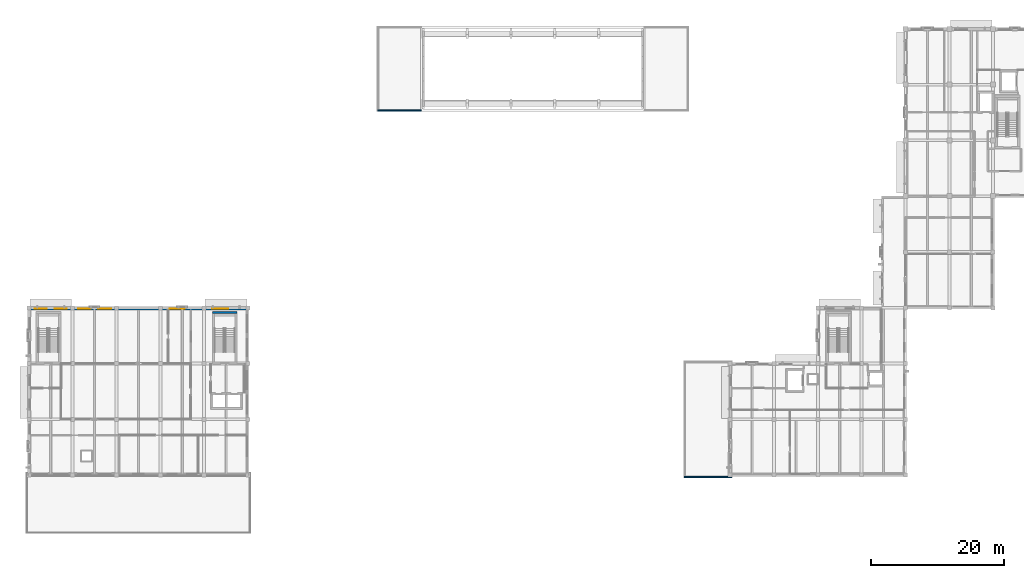
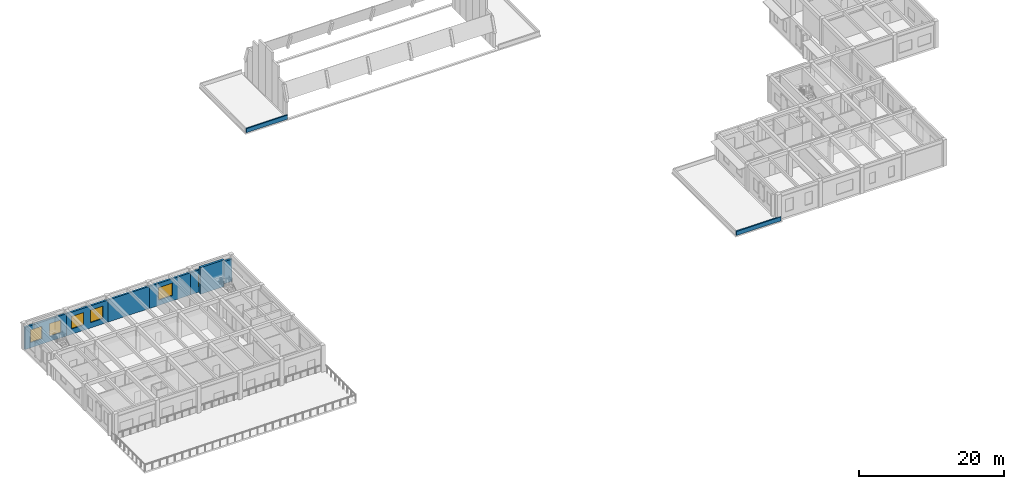
# One storey, part 8 of 25: 8 walls, 6 windows, 6 openings.
"""IFC4 building model written with IfcOpenShell, lengths in metres."""

from ifc_helpers import new_model, si_unit, direction, frame, frame_2d, origin, place, context, subcontext, project, spatial, rectangle, extrude, material, layer, layer_set, type_object, element, fill, save


model = new_model("IFC4")

# Units and contexts
model_context = context("Model", 3, precision=1e-05, world=origin(), true_north=direction((0.0, 1.0)))
body_context = subcontext(model_context, "Body", "Model", "MODEL_VIEW")
ifc_project = project(units=[si_unit("LENGTHUNIT", "METRE"), si_unit("AREAUNIT", "SQUARE_METRE"), si_unit("VOLUMEUNIT", "CUBIC_METRE"), si_unit("PLANEANGLEUNIT", "RADIAN"), si_unit("MASSUNIT", "GRAM", prefix="KILO")], contexts=[model_context])

# Site, building, storey
site_placement = place(None, origin())
site = spatial("IfcSite", under=ifc_project, at=site_placement, CompositionType="ELEMENT")
building_placement = place(site_placement, origin())
building = spatial("IfcBuilding", under=site, at=building_placement, Name="Kolvaren Faculty of Natural Sciences", CompositionType="ELEMENT")
storey_placement = place(building_placement, frame((0.0, 0.0, 19.5)))
storey = spatial("IfcBuildingStorey", under=building, at=storey_placement, Name="L04", CompositionType="ELEMENT", Elevation=19.5)

# Wall
ifc_material_1 = material(Name="Concrete C40/50", Category="concrete")
ifc_layer_1 = layer(ifc_material_1, 0.35009765625)
ifc_layer_set_1 = layer_set([ifc_layer_1], Name="Concrete C40/50")
wall_type_1 = type_object("IfcWallType", Name="CoreShearWall_350", PredefinedType="SHEAR", material=ifc_layer_set_1)
wall_1_placement = place(storey_placement, frame((34.425048828125, 41.5, 0.0), z_axis=(0.0, 0.0, 1.0), x_axis=(1.0, 0.0, 0.0)))
element("IfcWall", 1, at=wall_1_placement, inside=storey, type_object=wall_type_1, Name="L04 CORE-C4 stair shear wall N", PredefinedType="SHEAR", context=body_context, shape_type="SweptSolid", body=[
    extrude(rectangle(XDim=3.75, YDim=0.35009765625, at=frame_2d((1.875, 0.0))), origin(), (0.0, 0.0, 1.0), 4.5),
])

# Wall, openings, windows
ifc_material_2 = material(Name="Sandstone-faced insulated cavity masonry", Category="masonry")
ifc_layer_2 = layer(ifc_material_2, 0.300048828125)
ifc_layer_set_2 = layer_set([ifc_layer_2], Name="Sandstone-faced insulated cavity masonry")
wall_type_2 = type_object("IfcWallType", Name="ExteriorCavityWall_300", PredefinedType="STANDARD", material=ifc_layer_set_2)
wall_2_placement = place(storey_placement, frame((6.800048828125, 42.050048828125, 0.0), z_axis=(0.0, 0.0, 1.0), x_axis=(1.0, 0.0, 0.0)))
wall_2 = element("IfcWall", 2, at=wall_2_placement, inside=storey, type_object=wall_type_2, Name="L04 exterior masonry wall EW-300 (583)", PredefinedType="STANDARD", context=body_context, shape_type="SweptSolid", body=[
    extrude(rectangle(XDim=6.599853515625, YDim=0.300048828125, at=frame_2d((3.2998046875, 0.0))), origin(), (0.0, 0.0, 1.0), 3.735107421875),
])
opening_1_placement = place(wall_2_placement, frame((0.882080078125, 0.0, 0.89990234375)))
opening_1 = element("IfcOpeningElement", 3, at=opening_1_placement, cuts=wall_2, Name="Opening WIN-05", PredefinedType="OPENING", context=body_context, shape_type="SweptSolid", body=[
    extrude(rectangle(XDim=1.800048828125, YDim=2.10009765625, at=frame_2d((0.89990234375, 1.050048828125))), frame((0.0, 0.159912109375, 0.0), z_axis=(0.0, -1.0, 0.0), x_axis=(1.0, 0.0, 0.0)), (0.0, 0.0, 1.0), 0.320068359375),
])
opening_2_placement = place(wall_2_placement, frame((3.91796875, 0.0, 0.89990234375)))
opening_2 = element("IfcOpeningElement", 4, at=opening_2_placement, cuts=wall_2, Name="Opening WIN-05", PredefinedType="OPENING", context=body_context, shape_type="SweptSolid", body=[
    extrude(rectangle(XDim=1.800048828125, YDim=2.10009765625, at=frame_2d((0.89990234375, 1.050048828125))), frame((0.0, 0.159912109375, 0.0), z_axis=(0.0, -1.0, 0.0), x_axis=(1.0, 0.0, 0.0)), (0.0, 0.0, 1.0), 0.320068359375),
])
ifc_material_3 = material(Name="Double low-E solar control insulated glazing", Category="glass")
window_type_1 = type_object("IfcWindowType", Name="AluWindow_WIN05_1800x2100", PartitioningType="SINGLE_PANEL", PredefinedType="WINDOW", material=ifc_material_3)
window_1_placement = place(opening_1_placement, origin())
window_1 = element("IfcWindow", 5, at=window_1_placement, inside=storey, type_object=window_type_1, Name="WIN-L04-0360", OverallHeight=2.10009765625, OverallWidth=1.800048828125, PartitioningType="SINGLE_PANEL", PredefinedType="WINDOW", context=body_context, shape_type="SweptSolid", body=[
    extrude(rectangle(XDim=1.800048828125, YDim=2.10009765625, at=frame_2d((0.89990234375, 1.050048828125))), frame((0.0, 0.030029296875, 0.0), z_axis=(0.0, -1.0, 0.0), x_axis=(1.0, 0.0, 0.0)), (0.0, 0.0, 1.0), 0.06005859375),
])
fill(opening_1, window_1)
window_2_placement = place(opening_2_placement, origin())
window_2 = element("IfcWindow", 6, at=window_2_placement, inside=storey, type_object=window_type_1, Name="WIN-L04-0361", OverallHeight=2.10009765625, OverallWidth=1.800048828125, PartitioningType="SINGLE_PANEL", PredefinedType="WINDOW", context=body_context, shape_type="SweptSolid", body=[
    extrude(rectangle(XDim=1.800048828125, YDim=2.10009765625, at=frame_2d((0.89990234375, 1.050048828125))), frame((0.0, 0.030029296875, 0.0), z_axis=(0.0, -1.0, 0.0), x_axis=(1.0, 0.0, 0.0)), (0.0, 0.0, 1.0), 0.06005859375),
])
fill(opening_2, window_2)

wall_3_placement = place(storey_placement, frame((13.39990234375, 42.050048828125, 0.0), z_axis=(0.0, 0.0, 1.0), x_axis=(1.0, 0.0, 0.0)))
wall_3 = element("IfcWall", 7, at=wall_3_placement, inside=storey, type_object=wall_type_2, Name="L04 exterior masonry wall EW-300 (584)", PredefinedType="STANDARD", context=body_context, shape_type="SweptSolid", body=[
    extrude(rectangle(XDim=6.60009765625, YDim=0.300048828125, at=frame_2d((3.300048828125, 0.0))), origin(), (0.0, 0.0, 1.0), 3.735107421875),
])
opening_3_placement = place(wall_3_placement, frame((0.806884765625, 0.0, 0.89990234375)))
opening_3 = element("IfcOpeningElement", 8, at=opening_3_placement, cuts=wall_3, Name="Opening WIN-06", PredefinedType="OPENING", context=body_context, shape_type="SweptSolid", body=[
    extrude(rectangle(XDim=1.949951171875, YDim=2.10009765625, at=frame_2d((0.97509765625, 1.050048828125))), frame((0.0, 0.159912109375, 0.0), z_axis=(0.0, -1.0, 0.0), x_axis=(1.0, 0.0, 0.0)), (0.0, 0.0, 1.0), 0.320068359375),
])
opening_4_placement = place(wall_3_placement, frame((3.843017578125, 0.0, 0.89990234375)))
opening_4 = element("IfcOpeningElement", 9, at=opening_4_placement, cuts=wall_3, Name="Opening WIN-06", PredefinedType="OPENING", context=body_context, shape_type="SweptSolid", body=[
    extrude(rectangle(XDim=1.949951171875, YDim=2.10009765625, at=frame_2d((0.97509765625, 1.050048828125))), frame((0.0, 0.159912109375, 0.0), z_axis=(0.0, -1.0, 0.0), x_axis=(1.0, 0.0, 0.0)), (0.0, 0.0, 1.0), 0.320068359375),
])
window_type_2 = type_object("IfcWindowType", Name="AluWindow_WIN06_1950x2100", PartitioningType="SINGLE_PANEL", PredefinedType="WINDOW", material=ifc_material_3)
window_3_placement = place(opening_3_placement, origin())
window_3 = element("IfcWindow", 10, at=window_3_placement, inside=storey, type_object=window_type_2, Name="WIN-L04-0362", OverallHeight=2.10009765625, OverallWidth=1.949951171875, PartitioningType="SINGLE_PANEL", PredefinedType="WINDOW", context=body_context, shape_type="SweptSolid", body=[
    extrude(rectangle(XDim=1.949951171875, YDim=2.10009765625, at=frame_2d((0.97509765625, 1.050048828125))), frame((0.0, 0.030029296875, 0.0), z_axis=(0.0, -1.0, 0.0), x_axis=(1.0, 0.0, 0.0)), (0.0, 0.0, 1.0), 0.06005859375),
])
fill(opening_3, window_3)
window_4_placement = place(opening_4_placement, origin())
window_4 = element("IfcWindow", 11, at=window_4_placement, inside=storey, type_object=window_type_2, Name="WIN-L04-0363", OverallHeight=2.10009765625, OverallWidth=1.949951171875, PartitioningType="SINGLE_PANEL", PredefinedType="WINDOW", context=body_context, shape_type="SweptSolid", body=[
    extrude(rectangle(XDim=1.949951171875, YDim=2.10009765625, at=frame_2d((0.97509765625, 1.050048828125))), frame((0.0, 0.030029296875, 0.0), z_axis=(0.0, -1.0, 0.0), x_axis=(1.0, 0.0, 0.0)), (0.0, 0.0, 1.0), 0.06005859375),
])
fill(opening_4, window_4)

# Wall
wall_4_placement = place(storey_placement, frame((20.0, 42.050048828125, 0.0), z_axis=(0.0, 0.0, 1.0), x_axis=(1.0, 0.0, 0.0)))
element("IfcWall", 12, at=wall_4_placement, inside=storey, type_object=wall_type_2, Name="L04 exterior masonry wall EW-300 (585)", PredefinedType="STANDARD", context=body_context, shape_type="SweptSolid", body=[
    extrude(rectangle(XDim=6.60009765625, YDim=0.300048828125, at=frame_2d((3.300048828125, 0.0))), origin(), (0.0, 0.0, 1.0), 3.735107421875),
])

# Wall, opening, window
wall_5_placement = place(storey_placement, frame((26.60009765625, 42.050048828125, 0.0), z_axis=(0.0, 0.0, 1.0), x_axis=(1.0, 0.0, 0.0)))
wall_5 = element("IfcWall", 13, at=wall_5_placement, inside=storey, type_object=wall_type_2, Name="L04 exterior masonry wall EW-300 (586)", PredefinedType="STANDARD", context=body_context, shape_type="SweptSolid", body=[
    extrude(rectangle(XDim=6.599853515625, YDim=0.300048828125, at=frame_2d((3.2998046875, 0.0))), origin(), (0.0, 0.0, 1.0), 3.735107421875),
])
opening_5_placement = place(wall_5_placement, frame((1.43994140625, 0.0, 0.89990234375)))
opening_5 = element("IfcOpeningElement", 14, at=opening_5_placement, cuts=wall_5, Name="Opening WIN-08", PredefinedType="OPENING", context=body_context, shape_type="SweptSolid", body=[
    extrude(rectangle(XDim=2.25, YDim=2.10009765625, at=frame_2d((1.125, 1.050048828125))), frame((0.0, 0.159912109375, 0.0), z_axis=(0.0, -1.0, 0.0), x_axis=(1.0, 0.0, 0.0)), (0.0, 0.0, 1.0), 0.320068359375),
])
window_type_3 = type_object("IfcWindowType", Name="AluWindow_WIN08_2250x2100", PartitioningType="SINGLE_PANEL", PredefinedType="WINDOW", material=ifc_material_3)
window_5_placement = place(opening_5_placement, origin())
window_5 = element("IfcWindow", 15, at=window_5_placement, inside=storey, type_object=window_type_3, Name="WIN-L04-0364", OverallHeight=2.10009765625, OverallWidth=2.25, PartitioningType="SINGLE_PANEL", PredefinedType="WINDOW", context=body_context, shape_type="SweptSolid", body=[
    extrude(rectangle(XDim=2.25, YDim=2.10009765625, at=frame_2d((1.125, 1.050048828125))), frame((0.0, 0.030029296875, 0.0), z_axis=(0.0, -1.0, 0.0), x_axis=(1.0, 0.0, 0.0)), (0.0, 0.0, 1.0), 0.06005859375),
])
fill(opening_5, window_5)

wall_6_placement = place(storey_placement, frame((33.199951171875, 42.050048828125, 0.0), z_axis=(0.0, 0.0, 1.0), x_axis=(1.0, 0.0, 0.0)))
wall_6 = element("IfcWall", 16, at=wall_6_placement, inside=storey, type_object=wall_type_2, Name="L04 exterior masonry wall EW-300 (587)", PredefinedType="STANDARD", context=body_context, shape_type="SweptSolid", body=[
    extrude(rectangle(XDim=6.60009765625, YDim=0.300048828125, at=frame_2d((3.300048828125, 0.0))), origin(), (0.0, 0.0, 1.0), 3.735107421875),
])
opening_6_placement = place(wall_6_placement, frame((1.239990234375, 0.0, 0.89990234375)))
opening_6 = element("IfcOpeningElement", 17, at=opening_6_placement, cuts=wall_6, Name="Opening WIN-09", PredefinedType="OPENING", context=body_context, shape_type="SweptSolid", body=[
    extrude(rectangle(XDim=2.39990234375, YDim=2.10009765625, at=frame_2d((1.199951171875, 1.050048828125))), frame((0.0, 0.159912109375, 0.0), z_axis=(0.0, -1.0, 0.0), x_axis=(1.0, 0.0, 0.0)), (0.0, 0.0, 1.0), 0.320068359375),
])
window_type_4 = type_object("IfcWindowType", Name="AluWindow_WIN09_2400x2100", PartitioningType="SINGLE_PANEL", PredefinedType="WINDOW", material=ifc_material_3)
window_6_placement = place(opening_6_placement, origin())
window_6 = element("IfcWindow", 18, at=window_6_placement, inside=storey, type_object=window_type_4, Name="WIN-L04-0365", OverallHeight=2.10009765625, OverallWidth=2.39990234375, PartitioningType="SINGLE_PANEL", PredefinedType="WINDOW", context=body_context, shape_type="SweptSolid", body=[
    extrude(rectangle(XDim=2.39990234375, YDim=2.10009765625, at=frame_2d((1.199951171875, 1.050048828125))), frame((0.0, 0.030029296875, 0.0), z_axis=(0.0, -1.0, 0.0), x_axis=(1.0, 0.0, 0.0)), (0.0, 0.0, 1.0), 0.06005859375),
])
fill(opening_6, window_6)

# Walls
ifc_material_4 = material(Name="Precast concrete C35/45", Category="concrete")
ifc_layer_3 = layer(ifc_material_4, 0.219970703125)
ifc_layer_set_3 = layer_set([ifc_layer_3], Name="Precast concrete C35/45")
wall_type_3 = type_object("IfcWallType", Name="ParapetUpstandWall_220", PredefinedType="PARAPET", material=ifc_layer_set_3)
wall_7_placement = place(storey_placement, frame((112.6298828125, 16.719970703125, 0.0), z_axis=(0.0, 0.0, 1.0), x_axis=(-1.0, 0.0, 0.0)))
element("IfcWall", 19, at=wall_7_placement, inside=storey, type_object=wall_type_3, Name="L04 architectural sandstone roof parapet 50", PredefinedType="PARAPET", context=body_context, shape_type="SweptSolid", body=[
    extrude(rectangle(XDim=7.10986328125, YDim=0.219970703125, at=frame_2d((3.554931640625, 0.0))), origin(), (0.0, 0.0, 1.0), 0.679931640625),
])
wall_8_placement = place(storey_placement, frame((65.89990234375, 71.919921875, 0.0), z_axis=(0.0, 0.0, 1.0), x_axis=(-1.0, 0.0, 0.0)))
element("IfcWall", 20, at=wall_8_placement, inside=storey, type_object=wall_type_3, Name="L04 architectural sandstone roof parapet 58", PredefinedType="PARAPET", context=body_context, shape_type="SweptSolid", body=[
    extrude(rectangle(XDim=6.579833984375, YDim=0.219970703125, at=frame_2d((3.2900390625, 0.0))), origin(), (0.0, 0.0, 1.0), 0.679931640625),
])

save(model, "model.ifc")
